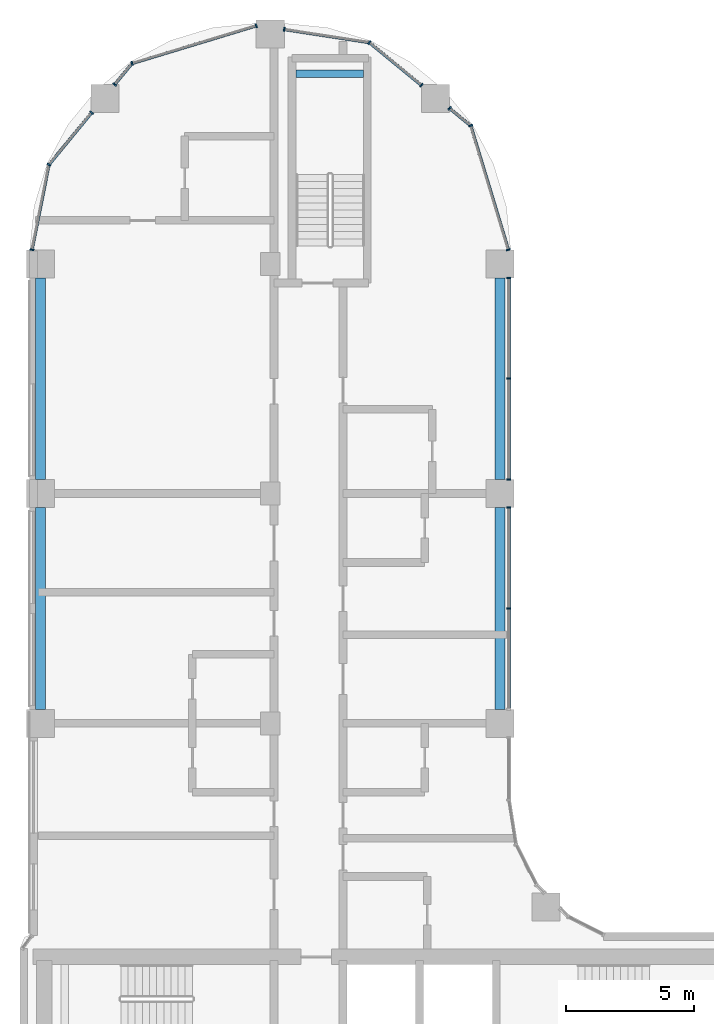
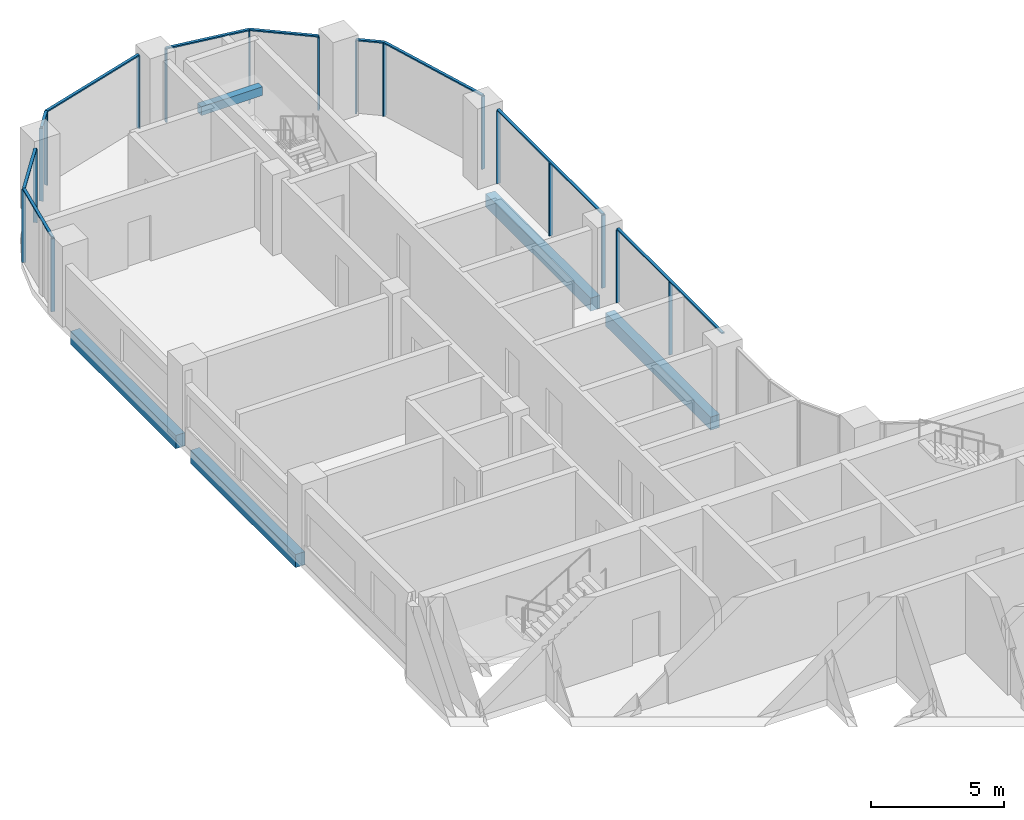
# One storey, part 5 of 21: 27 members, 5 beams, 6 elements without a shape of their own.
"""IFC4 building model written with IfcOpenShell, lengths in metres."""

from ifc_helpers import new_model, si_unit, direction, frame, origin, origin_2d, place, context, subcontext, project, spatial, rectangle, extrude, material, material_profile, profile_set, type_object, element, aggregate, save


model = new_model("IFC4")

# Units and contexts
model_context = context("Model", 3, precision=1e-05, world=origin(), true_north=direction((0.0, 1.0)))
body_context = subcontext(model_context, "Body", "Model", "MODEL_VIEW")
ifc_project = project(units=[si_unit("LENGTHUNIT", "METRE"), si_unit("AREAUNIT", "SQUARE_METRE"), si_unit("VOLUMEUNIT", "CUBIC_METRE"), si_unit("PLANEANGLEUNIT", "RADIAN"), si_unit("MASSUNIT", "GRAM", prefix="KILO")], contexts=[model_context])

# Site, building, storey
site_placement = place(None, origin())
site = spatial("IfcSite", under=ifc_project, at=site_placement, CompositionType="ELEMENT")
building_placement = place(site_placement, origin())
building = spatial("IfcBuilding", under=site, at=building_placement, Name="Ogive Portal Towers", CompositionType="ELEMENT")
storey_placement = place(building_placement, frame((0.0, 0.0, 157.0)))
storey = spatial("IfcBuildingStorey", under=building, at=storey_placement, Name="L38", CompositionType="ELEMENT", Elevation=157.0)

# Beam
ifc_material_1 = material(Name="Concrete C40/50", Category="concrete")
ifc_material_profile_1 = material_profile(ifc_material_1, rectangle(XDim=0.300048828125, YDim=0.39990234375, at=origin_2d()), Name="RC 300x400")
ifc_profile_set_1 = profile_set([ifc_material_profile_1], Name="Concrete C40/50")
beam_type_1 = type_object("IfcBeamType", Name="BEAM RC 300x400", PredefinedType="BEAM", material=ifc_profile_set_1)
beam_placement = place(storey_placement, frame((41.5, 73.949951171875, 1.449951171875), z_axis=(1.0, 0.0, 0.0), x_axis=(0.0, 1.0, 0.0)))
element("IfcBeam", 1, at=beam_placement, inside=storey, type_object=beam_type_1, Name="Landing beam L38", PredefinedType="BEAM", context=body_context, shape_type="SweptSolid", body=[
    extrude(rectangle(XDim=0.300048828125, YDim=0.39990234375, at=origin_2d()), origin(), (0.0, 0.0, 1.0), 2.64990234375),
])

# Curtain wall, members
ifc_material_2 = material(Name="Glass, clear low-iron insulated glazing", Category="glass")
curtain_wall_type = type_object("IfcCurtainWallType", Name="CW FRONT RIBBON 4500", PredefinedType="NOTDEFINED", material=ifc_material_2)
curtain_wall_1_placement = place(storey_placement, origin())
curtain_wall_1 = element("IfcCurtainWall", 2, at=curtain_wall_1_placement, inside=storey, type_object=curtain_wall_type, Name="A:L38:f06:cw0~1", PredefinedType="NOTDEFINED")
ifc_material_3 = material(Name="Aluminium 6063 anodised", Category="aluminium")
ifc_material_profile_2 = material_profile(ifc_material_3, rectangle(XDim=0.159912109375, YDim=0.06005859375, at=origin_2d()), Name="AL 60x160")
ifc_profile_set_2 = profile_set([ifc_material_profile_2], Name="Aluminium 6063 anodised")
member_type_1 = type_object("IfcMemberType", Name="CW MULLION 60x160", PredefinedType="MULLION", material=ifc_profile_set_2)
member_1_placement = place(storey_placement, frame((49.844970703125, 53.0, 0.0), z_axis=(0.0, 0.0, 1.0), x_axis=(-1.0, 0.0, 0.0)))
member_1 = element("IfcMember", 3, at=member_1_placement, type_object=member_type_1, Name="mullion", PredefinedType="MULLION", context=body_context, shape_type="SweptSolid", body=[
    extrude(rectangle(XDim=0.159912109375, YDim=0.06005859375, at=origin_2d()), origin(), (0.0, 0.0, 1.0), 3.340087890625),
])
member_2_placement = place(storey_placement, frame((49.844970703125, 56.949951171875, 0.0), z_axis=(0.0, 0.0, 1.0), x_axis=(-1.0, 0.0, 0.0)))
member_2 = element("IfcMember", 4, at=member_2_placement, type_object=member_type_1, Name="mullion", PredefinedType="MULLION", context=body_context, shape_type="SweptSolid", body=[
    extrude(rectangle(XDim=0.159912109375, YDim=0.06005859375, at=origin_2d()), origin(), (0.0, 0.0, 1.0), 3.340087890625),
])

curtain_wall_2_placement = place(storey_placement, origin())
curtain_wall_2 = element("IfcCurtainWall", 5, at=curtain_wall_2_placement, inside=storey, type_object=curtain_wall_type, Name="A:L38:f06:cw0~2", PredefinedType="NOTDEFINED")
member_3_placement = place(storey_placement, frame((49.844970703125, 58.050048828125, 0.0), z_axis=(0.0, 0.0, 1.0), x_axis=(-1.0, 0.0, 0.0)))
member_3 = element("IfcMember", 6, at=member_3_placement, type_object=member_type_1, Name="mullion", PredefinedType="MULLION", context=body_context, shape_type="SweptSolid", body=[
    extrude(rectangle(XDim=0.159912109375, YDim=0.06005859375, at=origin_2d()), origin(), (0.0, 0.0, 1.0), 3.340087890625),
])
member_4_placement = place(storey_placement, frame((49.844970703125, 62.0, 0.0), z_axis=(0.0, 0.0, 1.0), x_axis=(-1.0, 0.0, 0.0)))
member_4 = element("IfcMember", 7, at=member_4_placement, type_object=member_type_1, Name="mullion", PredefinedType="MULLION", context=body_context, shape_type="SweptSolid", body=[
    extrude(rectangle(XDim=0.159912109375, YDim=0.06005859375, at=origin_2d()), origin(), (0.0, 0.0, 1.0), 3.340087890625),
])
member_5_placement = place(storey_placement, frame((49.844970703125, 65.949951171875, 0.0), z_axis=(0.0, 0.0, 1.0), x_axis=(-1.0, 0.0, 0.0)))
member_5 = element("IfcMember", 8, at=member_5_placement, type_object=member_type_1, Name="mullion", PredefinedType="MULLION", context=body_context, shape_type="SweptSolid", body=[
    extrude(rectangle(XDim=0.159912109375, YDim=0.06005859375, at=origin_2d()), origin(), (0.0, 0.0, 1.0), 3.340087890625),
])

curtain_wall_3_placement = place(storey_placement, origin())
curtain_wall_3 = element("IfcCurtainWall", 9, at=curtain_wall_3_placement, inside=storey, type_object=curtain_wall_type, Name="A:L38:f07:cwa~0", PredefinedType="NOTDEFINED")
member_6_placement = place(storey_placement, frame((49.826171875, 67.050048828125, 0.0), z_axis=(0.0, 0.0, 1.0), x_axis=(-0.956940335732, -0.290284677254, 0.0)))
member_6 = element("IfcMember", 10, at=member_6_placement, type_object=member_type_1, Name="mullion", PredefinedType="MULLION", context=body_context, shape_type="SweptSolid", body=[
    extrude(rectangle(XDim=0.159912109375, YDim=0.06005859375, at=origin_2d()), origin(), (0.0, 0.0, 1.0), 3.340087890625),
])
member_7_placement = place(storey_placement, frame((48.351318359375, 71.912109375, 0.0), z_axis=(0.0, 0.0, 1.0), x_axis=(-0.956940335732, -0.290284677254, 0.0)))
member_7 = element("IfcMember", 11, at=member_7_placement, type_object=member_type_1, Name="mullion", PredefinedType="MULLION", context=body_context, shape_type="SweptSolid", body=[
    extrude(rectangle(XDim=0.159912109375, YDim=0.06005859375, at=origin_2d()), origin(), (0.0, 0.0, 1.0), 3.340087890625),
])
member_8_placement = place(storey_placement, frame((47.52294921875, 72.591796875, 0.0), z_axis=(0.0, 0.0, 1.0), x_axis=(-0.634393284164, -0.773010453363, 0.0)))
member_8 = element("IfcMember", 12, at=member_8_placement, type_object=member_type_1, Name="mullion", PredefinedType="MULLION", context=body_context, shape_type="SweptSolid", body=[
    extrude(rectangle(XDim=0.159912109375, YDim=0.06005859375, at=origin_2d()), origin(), (0.0, 0.0, 1.0), 3.340087890625),
])

curtain_wall_4_placement = place(storey_placement, origin())
curtain_wall_4 = element("IfcCurtainWall", 13, at=curtain_wall_4_placement, inside=storey, type_object=curtain_wall_type, Name="A:L38:f07:cwa~1", PredefinedType="NOTDEFINED")
member_9_placement = place(storey_placement, frame((46.423095703125, 73.49462890625, 0.0), z_axis=(0.0, 0.0, 1.0), x_axis=(-0.634393284164, -0.773010453363, 0.0)))
member_9 = element("IfcMember", 14, at=member_9_placement, type_object=member_type_1, Name="mullion", PredefinedType="MULLION", context=body_context, shape_type="SweptSolid", body=[
    extrude(rectangle(XDim=0.159912109375, YDim=0.06005859375, at=origin_2d()), origin(), (0.0, 0.0, 1.0), 3.340087890625),
])
member_10_placement = place(storey_placement, frame((44.381591796875, 75.169921875, 0.0), z_axis=(0.0, 0.0, 1.0), x_axis=(-0.634393284164, -0.773010453363, 0.0)))
member_10 = element("IfcMember", 15, at=member_10_placement, type_object=member_type_1, Name="mullion", PredefinedType="MULLION", context=body_context, shape_type="SweptSolid", body=[
    extrude(rectangle(XDim=0.159912109375, YDim=0.06005859375, at=origin_2d()), origin(), (0.0, 0.0, 1.0), 3.340087890625),
])
member_11_placement = place(storey_placement, frame((41.050048828125, 75.6826171875, 0.0), z_axis=(0.0, 0.0, 1.0), x_axis=(-0.15207363432, -0.988369166731, 0.0)))
member_11 = element("IfcMember", 16, at=member_11_placement, type_object=member_type_1, Name="mullion", PredefinedType="MULLION", context=body_context, shape_type="SweptSolid", body=[
    extrude(rectangle(XDim=0.159912109375, YDim=0.06005859375, at=origin_2d()), origin(), (0.0, 0.0, 1.0), 3.340087890625),
])

curtain_wall_5_placement = place(storey_placement, origin())
curtain_wall_5 = element("IfcCurtainWall", 17, at=curtain_wall_5_placement, inside=storey, type_object=curtain_wall_type, Name="A:L38:f07:cwa~2", PredefinedType="NOTDEFINED")
member_12_placement = place(storey_placement, frame((39.949951171875, 75.826171875, 0.0), z_axis=(0.0, 0.0, 1.0), x_axis=(0.290284677254, -0.956940335732, 0.0)))
member_12 = element("IfcMember", 18, at=member_12_placement, type_object=member_type_1, Name="mullion", PredefinedType="MULLION", context=body_context, shape_type="SweptSolid", body=[
    extrude(rectangle(XDim=0.159912109375, YDim=0.06005859375, at=origin_2d()), origin(), (0.0, 0.0, 1.0), 3.340087890625),
])
member_13_placement = place(storey_placement, frame((35.087890625, 74.351318359375, 0.0), z_axis=(0.0, 0.0, 1.0), x_axis=(0.290284677254, -0.956940335732, 0.0)))
member_13 = element("IfcMember", 19, at=member_13_placement, type_object=member_type_1, Name="mullion", PredefinedType="MULLION", context=body_context, shape_type="SweptSolid", body=[
    extrude(rectangle(XDim=0.159912109375, YDim=0.06005859375, at=origin_2d()), origin(), (0.0, 0.0, 1.0), 3.340087890625),
])
member_14_placement = place(storey_placement, frame((34.408203125, 73.52294921875, 0.0), z_axis=(0.0, 0.0, 1.0), x_axis=(0.773010453363, -0.634393284164, 0.0)))
member_14 = element("IfcMember", 20, at=member_14_placement, type_object=member_type_1, Name="mullion", PredefinedType="MULLION", context=body_context, shape_type="SweptSolid", body=[
    extrude(rectangle(XDim=0.159912109375, YDim=0.06005859375, at=origin_2d()), origin(), (0.0, 0.0, 1.0), 3.340087890625),
])

curtain_wall_6_placement = place(storey_placement, origin())
curtain_wall_6 = element("IfcCurtainWall", 21, at=curtain_wall_6_placement, inside=storey, type_object=curtain_wall_type, Name="A:L38:f07:cwa~3", PredefinedType="NOTDEFINED")
member_15_placement = place(storey_placement, frame((33.50537109375, 72.423095703125, 0.0), z_axis=(0.0, 0.0, 1.0), x_axis=(0.773010453363, -0.634393284164, 0.0)))
member_15 = element("IfcMember", 22, at=member_15_placement, type_object=member_type_1, Name="mullion", PredefinedType="MULLION", context=body_context, shape_type="SweptSolid", body=[
    extrude(rectangle(XDim=0.159912109375, YDim=0.06005859375, at=origin_2d()), origin(), (0.0, 0.0, 1.0), 3.340087890625),
])
member_16_placement = place(storey_placement, frame((31.828857421875, 70.380126953125, 0.0), z_axis=(0.0, 0.0, 1.0), x_axis=(0.773010453363, -0.634393284164, 0.0)))
member_16 = element("IfcMember", 23, at=member_16_placement, type_object=member_type_1, Name="mullion", PredefinedType="MULLION", context=body_context, shape_type="SweptSolid", body=[
    extrude(rectangle(XDim=0.159912109375, YDim=0.06005859375, at=origin_2d()), origin(), (0.0, 0.0, 1.0), 3.340087890625),
])
member_17_placement = place(storey_placement, frame((31.16650390625, 67.050048828125, 0.0), z_axis=(0.0, 0.0, 1.0), x_axis=(0.980785280403, -0.195090322016, 0.0)))
member_17 = element("IfcMember", 24, at=member_17_placement, type_object=member_type_1, Name="mullion", PredefinedType="MULLION", context=body_context, shape_type="SweptSolid", body=[
    extrude(rectangle(XDim=0.159912109375, YDim=0.06005859375, at=origin_2d()), origin(), (0.0, 0.0, 1.0), 3.340087890625),
])

# Member
ifc_material_profile_3 = material_profile(ifc_material_3, rectangle(XDim=0.1201171875, YDim=0.06005859375, at=origin_2d()), Name="AL 120x60")
ifc_profile_set_3 = profile_set([ifc_material_profile_3], Name="Aluminium 6063 anodised")
member_type_2 = type_object("IfcMemberType", Name="CW TRANSOM 60x120", PredefinedType="USERDEFINED", material=ifc_profile_set_3)
member_18_placement = place(storey_placement, frame((49.844970703125, 49.050048828125, 3.3701171875), z_axis=(0.0, 1.0, 0.0), x_axis=(-1.0, 0.0, 0.0)))
member_18 = element("IfcMember", 25, at=member_18_placement, type_object=member_type_2, Name="transom", ObjectType="TRANSOM", PredefinedType="USERDEFINED", context=body_context, shape_type="SweptSolid", body=[
    extrude(rectangle(XDim=0.1201171875, YDim=0.06005859375, at=origin_2d()), origin(), (0.0, 0.0, 1.0), 7.89990234375),
])

aggregate(curtain_wall_1, [member_18, member_1, member_2])

member_19_placement = place(storey_placement, frame((49.844970703125, 58.050048828125, 3.3701171875), z_axis=(0.0, 1.0, 0.0), x_axis=(-1.0, 0.0, 0.0)))
member_19 = element("IfcMember", 26, at=member_19_placement, type_object=member_type_2, Name="transom", ObjectType="TRANSOM", PredefinedType="USERDEFINED", context=body_context, shape_type="SweptSolid", body=[
    extrude(rectangle(XDim=0.1201171875, YDim=0.06005859375, at=origin_2d()), origin(), (0.0, 0.0, 1.0), 7.89990234375),
])

aggregate(curtain_wall_2, [member_19, member_3, member_4, member_5])

member_20_placement = place(storey_placement, frame((49.826171875, 67.050048828125, 3.3701171875), z_axis=(-0.29027811193, 0.956942327277, 0.0), x_axis=(-0.956942327277, -0.29027811193, 0.0)))
member_20 = element("IfcMember", 27, at=member_20_placement, type_object=member_type_2, Name="transom", ObjectType="TRANSOM", PredefinedType="USERDEFINED", context=body_context, shape_type="SweptSolid", body=[
    extrude(rectangle(XDim=0.1201171875, YDim=0.06005859375, at=origin_2d()), origin(), (0.0, 0.0, 1.0), 5.080810546875),
])

member_21_placement = place(storey_placement, frame((48.351318359375, 71.912109375, 3.3701171875), z_axis=(-0.773073370483, 0.634316611678, 0.0), x_axis=(-0.634316611678, -0.773073370483, 0.0)))
member_21 = element("IfcMember", 28, at=member_21_placement, type_object=member_type_2, Name="transom", ObjectType="TRANSOM", PredefinedType="USERDEFINED", context=body_context, shape_type="SweptSolid", body=[
    extrude(rectangle(XDim=0.1201171875, YDim=0.06005859375, at=origin_2d()), origin(), (0.0, 0.0, 1.0), 1.071533203125),
])

aggregate(curtain_wall_3, [member_20, member_21, member_6, member_7, member_8])

member_22_placement = place(storey_placement, frame((46.423095703125, 73.49462890625, 3.3701171875), z_axis=(-0.773033847843, 0.634364776835, 0.0), x_axis=(-0.634364776835, -0.773033847843, 0.0)))
member_22 = element("IfcMember", 29, at=member_22_placement, type_object=member_type_2, Name="transom", ObjectType="TRANSOM", PredefinedType="USERDEFINED", context=body_context, shape_type="SweptSolid", body=[
    extrude(rectangle(XDim=0.1201171875, YDim=0.06005859375, at=origin_2d()), origin(), (0.0, 0.0, 1.0), 2.640869140625),
])

member_23_placement = place(storey_placement, frame((44.381591796875, 75.169921875, 3.3701171875), z_axis=(-0.988364998063, 0.152100725189, 0.0), x_axis=(-0.152100725189, -0.988364998063, 0.0)))
member_23 = element("IfcMember", 30, at=member_23_placement, type_object=member_type_2, Name="transom", ObjectType="TRANSOM", PredefinedType="USERDEFINED", context=body_context, shape_type="SweptSolid", body=[
    extrude(rectangle(XDim=0.1201171875, YDim=0.06005859375, at=origin_2d()), origin(), (0.0, 0.0, 1.0), 3.370849609375),
])

aggregate(curtain_wall_4, [member_22, member_23, member_9, member_10, member_11])

member_24_placement = place(storey_placement, frame((39.949951171875, 75.826171875, 3.3701171875), z_axis=(-0.956942327277, -0.29027811193, 0.0), x_axis=(0.29027811193, -0.956942327277, 0.0)))
member_24 = element("IfcMember", 31, at=member_24_placement, type_object=member_type_2, Name="transom", ObjectType="TRANSOM", PredefinedType="USERDEFINED", context=body_context, shape_type="SweptSolid", body=[
    extrude(rectangle(XDim=0.1201171875, YDim=0.06005859375, at=origin_2d()), origin(), (0.0, 0.0, 1.0), 5.080810546875),
])

member_25_placement = place(storey_placement, frame((35.087890625, 74.351318359375, 3.3701171875), z_axis=(-0.634316611678, -0.773073370483, 0.0), x_axis=(0.773073370483, -0.634316611678, 0.0)))
member_25 = element("IfcMember", 32, at=member_25_placement, type_object=member_type_2, Name="transom", ObjectType="TRANSOM", PredefinedType="USERDEFINED", context=body_context, shape_type="SweptSolid", body=[
    extrude(rectangle(XDim=0.1201171875, YDim=0.06005859375, at=origin_2d()), origin(), (0.0, 0.0, 1.0), 1.071533203125),
])

aggregate(curtain_wall_5, [member_24, member_25, member_12, member_13, member_14])

member_26_placement = place(storey_placement, frame((33.50537109375, 72.423095703125, 3.3701171875), z_axis=(-0.634368988768, -0.773030391439, 0.0), x_axis=(0.773030391439, -0.634368988768, 0.0)))
member_26 = element("IfcMember", 33, at=member_26_placement, type_object=member_type_2, Name="transom", ObjectType="TRANSOM", PredefinedType="USERDEFINED", context=body_context, shape_type="SweptSolid", body=[
    extrude(rectangle(XDim=0.1201171875, YDim=0.06005859375, at=origin_2d()), origin(), (0.0, 0.0, 1.0), 2.642822265625),
])

member_27_placement = place(storey_placement, frame((31.828857421875, 70.380126953125, 3.3701171875), z_axis=(-0.195078930567, -0.980787546235, 0.0), x_axis=(0.980787546235, -0.195078930567, 0.0)))
member_27 = element("IfcMember", 34, at=member_27_placement, type_object=member_type_2, Name="transom", ObjectType="TRANSOM", PredefinedType="USERDEFINED", context=body_context, shape_type="SweptSolid", body=[
    extrude(rectangle(XDim=0.1201171875, YDim=0.06005859375, at=origin_2d()), origin(), (0.0, 0.0, 1.0), 3.395263671875),
])

aggregate(curtain_wall_6, [member_26, member_27, member_15, member_16, member_17])

# Beams
ifc_material_profile_4 = material_profile(ifc_material_1, rectangle(XDim=0.39990234375, YDim=0.60009765625, at=origin_2d()), Name="RC 400x600")
ifc_profile_set_4 = profile_set([ifc_material_profile_4], Name="Concrete C40/50")
beam_type_2 = type_object("IfcBeamType", Name="SPANDREL BEAM RC 400x600", PredefinedType="BEAM", material=ifc_profile_set_4)
for number, where, z_axis, x_axis, name in (
    (35, (31.5, 49.050048828125, -0.60009765625), (0.0, 1.0, 0.0), (-1.0, 0.0, 0.0), "Spandrel beam L38"),
    (36, (31.5, 58.050048828125, -0.60009765625), (0.0, 1.0, 0.0), (-1.0, 0.0, 0.0), "Spandrel beam L38"),
    (37, (49.5, 65.949951171875, -0.60009765625), (0.0, -1.0, 0.0), (1.0, 0.0, 0.0), "Spandrel beam L38"),
    (38, (49.5, 56.949951171875, -0.60009765625), (0.0, -1.0, 0.0), (1.0, 0.0, 0.0), "Spandrel beam L38"),
):
    element("IfcBeam", number, at=place(storey_placement, frame(where, z_axis=z_axis, x_axis=x_axis)), inside=storey, type_object=beam_type_2, Name=name, PredefinedType="BEAM", context=body_context, shape_type="SweptSolid", body=[
        extrude(rectangle(XDim=0.39990234375, YDim=0.60009765625, at=origin_2d()), origin(), (0.0, 0.0, 1.0), 7.89990234375),
    ])

save(model, "model.ifc")
